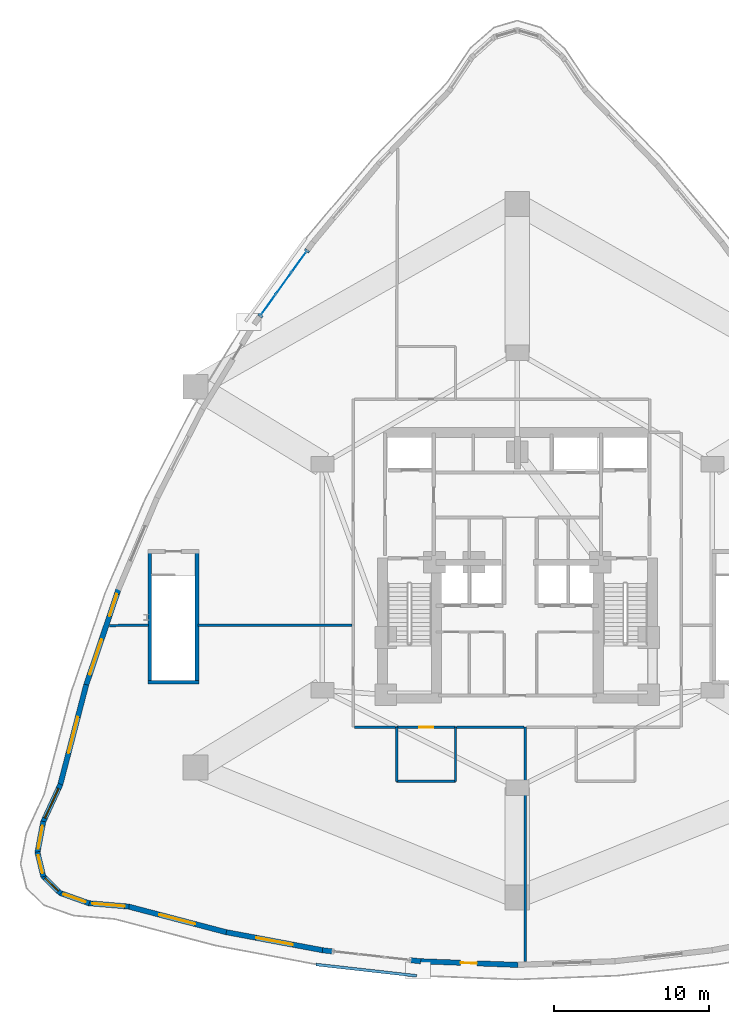
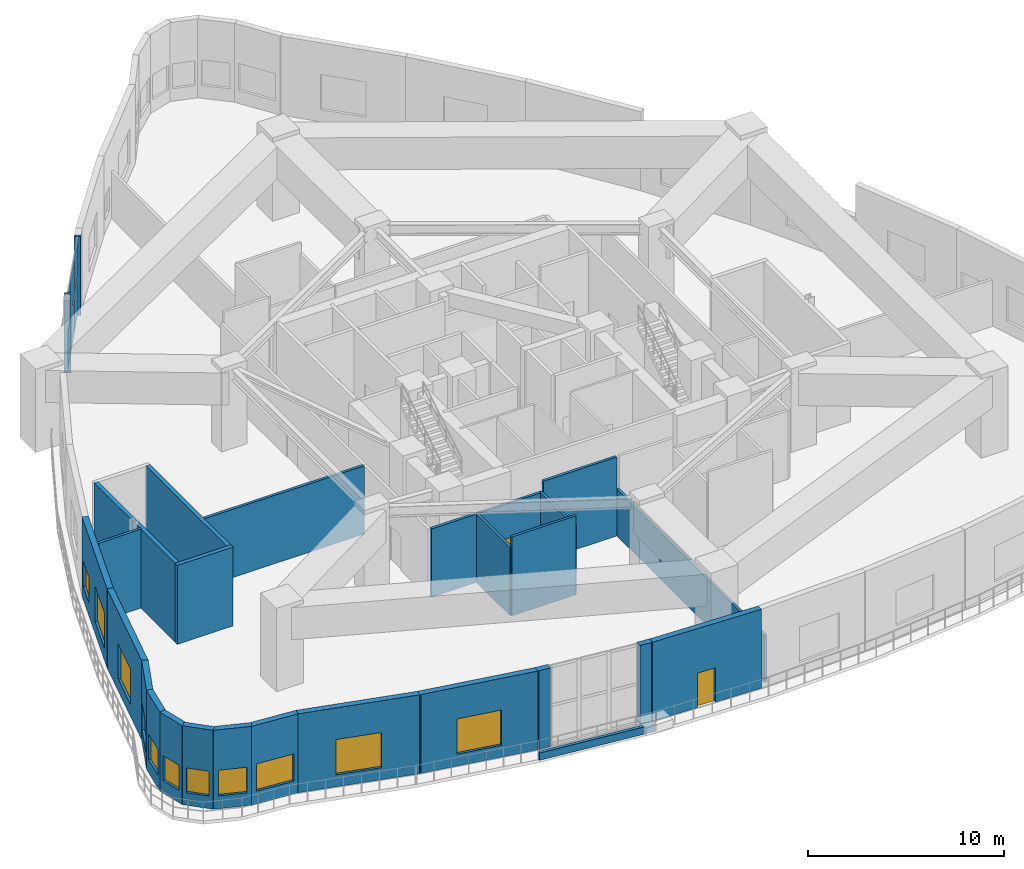
# One storey, part 11 of 19: 26 walls, 11 windows, 8 plates, 2 doors, 13 openings, 1 element without a shape of its own.
"""IFC4 building model written with IfcOpenShell, lengths in metres."""

from ifc_helpers import new_model, si_unit, direction, frame, frame_2d, origin, origin_2d, place, context, subcontext, project, spatial, rectangle, extrude, material, layer, layer_set, type_object, element, fill, aggregate, save


model = new_model("IFC4")

# Units and contexts
model_context = context("Model", 3, precision=1e-05, world=origin(), true_north=direction((0.0, 1.0)))
body_context = subcontext(model_context, "Body", "Model", "MODEL_VIEW")
ifc_project = project(units=[si_unit("LENGTHUNIT", "METRE"), si_unit("AREAUNIT", "SQUARE_METRE"), si_unit("VOLUMEUNIT", "CUBIC_METRE"), si_unit("PLANEANGLEUNIT", "RADIAN"), si_unit("MASSUNIT", "GRAM", prefix="KILO")], contexts=[model_context])

# Site, building, storey
site_placement = place(None, origin())
site = spatial("IfcSite", under=ifc_project, at=site_placement, CompositionType="ELEMENT")
building_placement = place(site_placement, origin())
building = spatial("IfcBuilding", under=site, at=building_placement, Name="Miruveldt Soraemaru", CompositionType="ELEMENT")
storey_placement = place(building_placement, frame((0.0, 0.0, 24.0)))
storey = spatial("IfcBuildingStorey", under=building, at=storey_placement, Name="L06", CompositionType="ELEMENT", Elevation=24.0)

# Curtain wall, plates
ifc_material_1 = material(Name="Anodised aluminium EN AW-6063 T6", Category="aluminium")
ifc_layer_1 = layer(ifc_material_1, 0.219970703125, Name="Anodised aluminium EN AW-6063 T6", Category="aluminium")
ifc_layer_set_1 = layer_set([ifc_layer_1], Name="Anodised aluminium EN AW-6063 T6")
curtain_wall_type = type_object("IfcCurtainWallType", Name="CW-SYS-2", PredefinedType="USERDEFINED", material=ifc_layer_set_1)
curtain_wall_placement = place(storey_placement, origin())
curtain_wall = element("IfcCurtainWall", 1, at=curtain_wall_placement, inside=storey, type_object=curtain_wall_type, Name="L06 Curtain Wall Bay 9", ObjectType="STOREFRONT", PredefinedType="USERDEFINED")
ifc_material_2 = material(Name="Triple low-e insulated glazing", Category="glass")
ifc_layer_2 = layer(ifc_material_2, 0.031982421875, Name="Triple low-e insulated glazing", Category="glass")
ifc_layer_set_2 = layer_set([ifc_layer_2], Name="Triple low-e insulated glazing")
plate_type_1 = type_object("IfcPlateType", Name="CWP-2", PredefinedType="CURTAIN_PANEL", material=ifc_layer_set_2)
plate_1_placement = place(storey_placement, frame((29.89306640625, 63.469482421875, 0.074951171875), z_axis=(0.0, 0.0, 1.0), x_axis=(-0.583401754779, -0.812183718454, 0.0)))
plate_1 = element("IfcPlate", 2, at=plate_1_placement, type_object=plate_type_1, Name="CW-2 panel 1.1", PredefinedType="CURTAIN_PANEL", context=body_context, shape_type="SweptSolid", body=[
    extrude(rectangle(XDim=1.6083984375, YDim=0.031982421875, at=origin_2d()), origin(), (0.0, 0.0, 1.0), 2.35009765625),
])
plate_2_placement = place(storey_placement, frame((29.89306640625, 63.469482421875, 2.5), z_axis=(0.0, 0.0, 1.0), x_axis=(-0.583401754779, -0.812183718454, 0.0)))
plate_2 = element("IfcPlate", 3, at=plate_2_placement, type_object=plate_type_1, Name="CW-2 panel 1.2", PredefinedType="CURTAIN_PANEL", context=body_context, shape_type="SweptSolid", body=[
    extrude(rectangle(XDim=1.6083984375, YDim=0.031982421875, at=origin_2d()), origin(), (0.0, 0.0, 1.0), 2.35009765625),
])
plate_3_placement = place(storey_placement, frame((28.900146484375, 62.0869140625, 0.074951171875), z_axis=(0.0, 0.0, 1.0), x_axis=(-0.583401754779, -0.812183718454, 0.0)))
plate_3 = element("IfcPlate", 4, at=plate_3_placement, type_object=plate_type_1, Name="CW-2 panel 2.1", PredefinedType="CURTAIN_PANEL", context=body_context, shape_type="SweptSolid", body=[
    extrude(rectangle(XDim=1.64599609375, YDim=0.031982421875, at=origin_2d()), origin(), (0.0, 0.0, 1.0), 2.35009765625),
])
plate_4_placement = place(storey_placement, frame((28.900146484375, 62.0869140625, 2.5), z_axis=(0.0, 0.0, 1.0), x_axis=(-0.583401754779, -0.812183718454, 0.0)))
plate_4 = element("IfcPlate", 5, at=plate_4_placement, type_object=plate_type_1, Name="CW-2 panel 2.2", PredefinedType="CURTAIN_PANEL", context=body_context, shape_type="SweptSolid", body=[
    extrude(rectangle(XDim=1.64599609375, YDim=0.031982421875, at=origin_2d()), origin(), (0.0, 0.0, 1.0), 2.35009765625),
])
plate_5_placement = place(storey_placement, frame((27.906982421875, 60.704345703125, 0.074951171875), z_axis=(0.0, 0.0, 1.0), x_axis=(-0.583401754779, -0.812183718454, 0.0)))
plate_5 = element("IfcPlate", 6, at=plate_5_placement, type_object=plate_type_1, Name="CW-2 panel 3.1", PredefinedType="CURTAIN_PANEL", context=body_context, shape_type="SweptSolid", body=[
    extrude(rectangle(XDim=1.6083984375, YDim=0.031982421875, at=origin_2d()), origin(), (0.0, 0.0, 1.0), 2.35009765625),
])
plate_6_placement = place(storey_placement, frame((27.906982421875, 60.704345703125, 2.5), z_axis=(0.0, 0.0, 1.0), x_axis=(-0.583401754779, -0.812183718454, 0.0)))
plate_6 = element("IfcPlate", 7, at=plate_6_placement, type_object=plate_type_1, Name="CW-2 panel 3.2", PredefinedType="CURTAIN_PANEL", context=body_context, shape_type="SweptSolid", body=[
    extrude(rectangle(XDim=1.6083984375, YDim=0.031982421875, at=origin_2d()), origin(), (0.0, 0.0, 1.0), 2.35009765625),
])
aggregate(curtain_wall, [plate_1, plate_2, plate_3, plate_4, plate_5, plate_6])

# Plates
ifc_layer_3 = layer(ifc_material_1, 0.030029296875, Name="Anodised aluminium EN AW-6063 T6", Category="aluminium")
ifc_layer_set_3 = layer_set([ifc_layer_3], Name="Anodised aluminium EN AW-6063 T6")
plate_type_2 = type_object("IfcPlateType", Name="PLT-JAMB-30", PredefinedType="SHEET", material=ifc_layer_set_3)
for number, where, z_axis, x_axis, name in (
    (8, (30.406005859375, 64.18359375, 0.0), (0.0, 0.0, 1.0), (-0.583413642375, -0.812175179312, 0.0), "L06 Curtain Wall Jamb Closure Trim 9JL"),
    (9, (27.39404296875, 59.990234375, 0.0), (0.0, 0.0, 1.0), (-0.583413642375, -0.812175179312, 0.0), "L06 Curtain Wall Jamb Closure Trim 9JR"),
):
    element("IfcPlate", number, at=place(storey_placement, frame(where, z_axis=z_axis, x_axis=x_axis)), inside=storey, type_object=plate_type_2, Name=name, PredefinedType="SHEET", context=body_context, shape_type="SweptSolid", body=[
        extrude(rectangle(XDim=0.139892578125, YDim=0.340087890625, at=origin_2d()), origin(), (0.0, 0.0, 1.0), 4.925048828125),
    ])

# Walls
ifc_material_3 = material(Name="Concrete C50/60 (50 MPa)", Category="concrete")
ifc_layer_4 = layer(ifc_material_3, 0.419921875, Name="Concrete C50/60 (50 MPa)", Category="concrete")
ifc_layer_set_4 = layer_set([ifc_layer_4], Name="Concrete C50/60 (50 MPa)")
wall_type_1 = type_object("IfcWallType", Name="WALL-CW-420", PredefinedType="SHEAR", material=ifc_layer_set_4)
for number, where, z_axis, x_axis, name in (
    (10, (20.25, 36.35009765625, 0.0), (0.0, 0.0, 1.0), (0.0, 1.0, 0.0), "L06 Protected Exit Stair ST-3 Structural Shaft Wall W"),
    (11, (23.300048828125, 36.35009765625, 0.0), (0.0, 0.0, 1.0), (0.0, 1.0, 0.0), "L06 Protected Exit Stair ST-3 Structural Shaft Wall E"),
):
    element("IfcWall", number, at=place(storey_placement, frame(where, z_axis=z_axis, x_axis=x_axis)), inside=storey, type_object=wall_type_1, Name=name, PredefinedType="SHEAR", context=body_context, shape_type="SweptSolid", body=[
        extrude(rectangle(XDim=8.349853515625, YDim=0.239990234375, at=frame_2d((4.1748046875, 0.0))), origin(), (0.0, 0.0, 1.0), 4.925048828125),
    ])
wall_1_placement = place(storey_placement, frame((20.1298828125, 36.300048828125, 0.0), z_axis=(0.0, 0.0, 1.0), x_axis=(1.0, 0.0, 0.0)))
element("IfcWall", 12, at=wall_1_placement, inside=storey, type_object=wall_type_1, Name="L06 Protected Exit Stair ST-3 Structural Shaft Wall S", PredefinedType="SHEAR", context=body_context, shape_type="SweptSolid", body=[
    extrude(rectangle(XDim=3.2900390625, YDim=0.239990234375, at=frame_2d((1.64501953125, 0.0))), origin(), (0.0, 0.0, 1.0), 4.925048828125),
])

# Wall, openings, windows
ifc_material_4 = material(Name="Precast concrete C45/55 (45 MPa)", Category="concrete")
ifc_layer_5 = layer(ifc_material_4, 0.340087890625, Name="Precast concrete C45/55 (45 MPa)", Category="concrete")
ifc_layer_set_5 = layer_set([ifc_layer_5], Name="Precast concrete C45/55 (45 MPa)")
wall_type_2 = type_object("IfcWallType", Name="WALL-EXT-PC340", PredefinedType="SOLIDWALL", material=ifc_layer_set_5)
wall_2_placement = place(storey_placement, frame((18.235595703125, 42.3359375, 0.0), z_axis=(0.0, 0.0, 1.0), x_axis=(-0.31980768303, -0.947482477872, 0.0)))
wall_2 = element("IfcWall", 13, at=wall_2_placement, inside=storey, type_object=wall_type_2, Name="L06 Precast Concrete Facade Wall 13", PredefinedType="SOLIDWALL", context=body_context, shape_type="SweptSolid", body=[
    extrude(rectangle(XDim=6.604248046875, YDim=0.340087890625, at=frame_2d((3.30224609375, 0.0))), origin(), (0.0, 0.0, 1.0), 4.925048828125),
])
opening_1_placement = place(wall_2_placement, frame((0.34912109375, 0.0, 0.800048828125)))
opening_1 = element("IfcOpeningElement", 14, at=opening_1_placement, cuts=wall_2, Name="Opening WN-3", PredefinedType="OPENING", context=body_context, shape_type="SweptSolid", body=[
    extrude(rectangle(XDim=1.5, YDim=1.60009765625, at=frame_2d((0.75, 0.800048828125))), frame((0.0, 0.18017578125, 0.0), z_axis=(0.0, -1.0, 0.0), x_axis=(1.0, 0.0, 0.0)), (0.0, 0.0, 1.0), 0.360107421875),
])
opening_2_placement = place(wall_2_placement, frame((3.44091796875, 0.0, 0.75)))
opening_2 = element("IfcOpeningElement", 15, at=opening_2_placement, cuts=wall_2, Name="Opening WN-5", PredefinedType="OPENING", context=body_context, shape_type="SweptSolid", body=[
    extrude(rectangle(XDim=2.39990234375, YDim=2.199951171875, at=frame_2d((1.199951171875, 1.10009765625))), frame((0.0, 0.18017578125, 0.0), z_axis=(0.0, -1.0, 0.0), x_axis=(1.0, 0.0, 0.0)), (0.0, 0.0, 1.0), 0.360107421875),
])
window_type_1 = type_object("IfcWindowType", Name="WIN-PODM-2400x2200", PartitioningType="SINGLE_PANEL", PredefinedType="WINDOW", material=ifc_material_2)
window_1_placement = place(opening_2_placement, origin())
window_1 = element("IfcWindow", 16, at=window_1_placement, inside=storey, type_object=window_type_1, Name="L06 Punched Triple-Glazed Window 13.2", OverallHeight=2.199951171875, OverallWidth=2.39990234375, PartitioningType="SINGLE_PANEL", PredefinedType="WINDOW", context=body_context, shape_type="SweptSolid", body=[
    extrude(rectangle(XDim=2.39990234375, YDim=2.199951171875, at=frame_2d((1.199951171875, 1.10009765625))), frame((0.0, 0.030029296875, 0.0), z_axis=(0.0, -1.0, 0.0), x_axis=(1.0, 0.0, 0.0)), (0.0, 0.0, 1.0), 0.06005859375),
])
fill(opening_2, window_1)
window_type_2 = type_object("IfcWindowType", Name="WIN-PUNCH-1500x1600", PartitioningType="SINGLE_PANEL", PredefinedType="WINDOW", material=ifc_material_2)
window_2_placement = place(opening_1_placement, origin())
window_2 = element("IfcWindow", 17, at=window_2_placement, inside=storey, type_object=window_type_2, Name="L06 Punched Triple-Glazed Window 13.1", OverallHeight=1.60009765625, OverallWidth=1.5, PartitioningType="SINGLE_PANEL", PredefinedType="WINDOW", context=body_context, shape_type="SweptSolid", body=[
    extrude(rectangle(XDim=1.5, YDim=1.60009765625, at=frame_2d((0.75, 0.800048828125))), frame((0.0, 0.030029296875, 0.0), z_axis=(0.0, -1.0, 0.0), x_axis=(1.0, 0.0, 0.0)), (0.0, 0.0, 1.0), 0.06005859375),
])
fill(opening_1, window_2)

# Wall, opening, window
wall_3_placement = place(storey_placement, frame((16.1435546875, 36.145751953125, 0.0), z_axis=(0.0, 0.0, 1.0), x_axis=(-0.25145458231, -0.967869099122, 0.0)))
wall_3 = element("IfcWall", 18, at=wall_3_placement, inside=storey, type_object=wall_type_2, Name="L06 Precast Concrete Facade Wall 14", PredefinedType="SOLIDWALL", context=body_context, shape_type="SweptSolid", body=[
    extrude(rectangle(XDim=6.7099609375, YDim=0.340087890625, at=frame_2d((3.35498046875, 0.0))), origin(), (0.0, 0.0, 1.0), 4.925048828125),
])
opening_3_placement = place(wall_3_placement, frame((2.155029296875, 0.0, 0.75)))
opening_3 = element("IfcOpeningElement", 19, at=opening_3_placement, cuts=wall_3, Name="Opening WN-5", PredefinedType="OPENING", context=body_context, shape_type="SweptSolid", body=[
    extrude(rectangle(XDim=2.39990234375, YDim=2.199951171875, at=frame_2d((1.199951171875, 1.10009765625))), frame((0.0, 0.18017578125, 0.0), z_axis=(0.0, -1.0, 0.0), x_axis=(1.0, 0.0, 0.0)), (0.0, 0.0, 1.0), 0.360107421875),
])
window_3_placement = place(opening_3_placement, origin())
window_3 = element("IfcWindow", 20, at=window_3_placement, inside=storey, type_object=window_type_1, Name="L06 Punched Triple-Glazed Window 14.1", OverallHeight=2.199951171875, OverallWidth=2.39990234375, PartitioningType="SINGLE_PANEL", PredefinedType="WINDOW", context=body_context, shape_type="SweptSolid", body=[
    extrude(rectangle(XDim=2.39990234375, YDim=2.199951171875, at=frame_2d((1.199951171875, 1.10009765625))), frame((0.0, 0.030029296875, 0.0), z_axis=(0.0, -1.0, 0.0), x_axis=(1.0, 0.0, 0.0)), (0.0, 0.0, 1.0), 0.06005859375),
])
fill(opening_3, window_3)

wall_4_placement = place(storey_placement, frame((14.479736328125, 29.717041015625, 0.0), z_axis=(0.0, 0.0, 1.0), x_axis=(-0.416908445772, -0.908948484703, 0.0)))
wall_4 = element("IfcWall", 21, at=wall_4_placement, inside=storey, type_object=wall_type_2, Name="L06 Precast Concrete Facade Wall 15", PredefinedType="SOLIDWALL", context=body_context, shape_type="SweptSolid", body=[
    extrude(rectangle(XDim=2.716552734375, YDim=0.340087890625, at=frame_2d((1.3583984375, 0.0))), origin(), (0.0, 0.0, 1.0), 4.925048828125),
])
opening_4_placement = place(wall_4_placement, frame((0.30810546875, 0.0, 0.800048828125)))
opening_4 = element("IfcOpeningElement", 22, at=opening_4_placement, cuts=wall_4, Name="Opening WN-1", PredefinedType="OPENING", context=body_context, shape_type="SweptSolid", body=[
    extrude(rectangle(XDim=2.10009765625, YDim=1.699951171875, at=frame_2d((1.050048828125, 0.85009765625))), frame((0.0, 0.18017578125, 0.0), z_axis=(0.0, -1.0, 0.0), x_axis=(1.0, 0.0, 0.0)), (0.0, 0.0, 1.0), 0.360107421875),
])
window_type_3 = type_object("IfcWindowType", Name="WIN-PUNCH-2100x1700", PartitioningType="SINGLE_PANEL", PredefinedType="WINDOW", material=ifc_material_2)
window_4_placement = place(opening_4_placement, origin())
window_4 = element("IfcWindow", 23, at=window_4_placement, inside=storey, type_object=window_type_3, Name="L06 Punched Triple-Glazed Window 15.1", OverallHeight=1.699951171875, OverallWidth=2.10009765625, PartitioningType="SINGLE_PANEL", PredefinedType="WINDOW", context=body_context, shape_type="SweptSolid", body=[
    extrude(rectangle(XDim=2.10009765625, YDim=1.699951171875, at=frame_2d((1.050048828125, 0.85009765625))), frame((0.0, 0.030029296875, 0.0), z_axis=(0.0, -1.0, 0.0), x_axis=(1.0, 0.0, 0.0)), (0.0, 0.0, 1.0), 0.06005859375),
])
fill(opening_4, window_4)

wall_5_placement = place(storey_placement, frame((13.3681640625, 27.31396484375, 0.0), z_axis=(0.0, 0.0, 1.0), x_axis=(-0.183662559707, -0.982989350991, 0.0)))
wall_5 = element("IfcWall", 24, at=wall_5_placement, inside=storey, type_object=wall_type_2, Name="L06 Precast Concrete Facade Wall 16", PredefinedType="SOLIDWALL", context=body_context, shape_type="SweptSolid", body=[
    extrude(rectangle(XDim=2.072265625, YDim=0.340087890625, at=frame_2d((1.0361328125, 0.0))), origin(), (0.0, 0.0, 1.0), 4.925048828125),
])
opening_5_placement = place(wall_5_placement, frame((0.285888671875, 0.0, 0.800048828125)))
opening_5 = element("IfcOpeningElement", 25, at=opening_5_placement, cuts=wall_5, Name="Opening WN-3", PredefinedType="OPENING", context=body_context, shape_type="SweptSolid", body=[
    extrude(rectangle(XDim=1.5, YDim=1.60009765625, at=frame_2d((0.75, 0.800048828125))), frame((0.0, 0.18017578125, 0.0), z_axis=(0.0, -1.0, 0.0), x_axis=(1.0, 0.0, 0.0)), (0.0, 0.0, 1.0), 0.360107421875),
])
window_5_placement = place(opening_5_placement, origin())
window_5 = element("IfcWindow", 26, at=window_5_placement, inside=storey, type_object=window_type_2, Name="L06 Punched Triple-Glazed Window 16.1", OverallHeight=1.60009765625, OverallWidth=1.5, PartitioningType="SINGLE_PANEL", PredefinedType="WINDOW", context=body_context, shape_type="SweptSolid", body=[
    extrude(rectangle(XDim=1.5, YDim=1.60009765625, at=frame_2d((0.75, 0.800048828125))), frame((0.0, 0.030029296875, 0.0), z_axis=(0.0, -1.0, 0.0), x_axis=(1.0, 0.0, 0.0)), (0.0, 0.0, 1.0), 0.06005859375),
])
fill(opening_5, window_5)

wall_6_placement = place(storey_placement, frame((12.98583984375, 25.34521484375, 0.0), z_axis=(0.0, 0.0, 1.0), x_axis=(0.23368739428, -0.972311782174, 0.0)))
wall_6 = element("IfcWall", 27, at=wall_6_placement, inside=storey, type_object=wall_type_2, Name="L06 Precast Concrete Facade Wall 17", PredefinedType="SOLIDWALL", context=body_context, shape_type="SweptSolid", body=[
    extrude(rectangle(XDim=1.644287109375, YDim=0.340087890625, at=frame_2d((0.822265625, 0.0))), origin(), (0.0, 0.0, 1.0), 4.925048828125),
])
opening_6_placement = place(wall_6_placement, frame((0.222900390625, 0.0, 0.780029296875)))
opening_6 = element("IfcOpeningElement", 28, at=opening_6_placement, cuts=wall_6, Name="Opening WN-4", PredefinedType="OPENING", context=body_context, shape_type="SweptSolid", body=[
    extrude(rectangle(XDim=1.199951171875, YDim=1.550048828125, at=frame_2d((0.60009765625, 0.77490234375))), frame((0.0, 0.18017578125, 0.0), z_axis=(0.0, -1.0, 0.0), x_axis=(1.0, 0.0, 0.0)), (0.0, 0.0, 1.0), 0.360107421875),
])
window_type_4 = type_object("IfcWindowType", Name="WIN-PUNCH-1200x1550", PartitioningType="SINGLE_PANEL", PredefinedType="WINDOW", material=ifc_material_2)
window_6_placement = place(opening_6_placement, origin())
window_6 = element("IfcWindow", 29, at=window_6_placement, inside=storey, type_object=window_type_4, Name="L06 Punched Triple-Glazed Window 17.1", OverallHeight=1.550048828125, OverallWidth=1.199951171875, PartitioningType="SINGLE_PANEL", PredefinedType="WINDOW", context=body_context, shape_type="SweptSolid", body=[
    extrude(rectangle(XDim=1.199951171875, YDim=1.550048828125, at=frame_2d((0.60009765625, 0.77490234375))), frame((0.0, 0.030029296875, 0.0), z_axis=(0.0, -1.0, 0.0), x_axis=(1.0, 0.0, 0.0)), (0.0, 0.0, 1.0), 0.06005859375),
])
fill(opening_6, window_6)

wall_7_placement = place(storey_placement, frame((13.3369140625, 23.804931640625, 0.0), z_axis=(0.0, 0.0, 1.0), x_axis=(0.710257766954, -0.703941691109, 0.0)))
wall_7 = element("IfcWall", 30, at=wall_7_placement, inside=storey, type_object=wall_type_2, Name="L06 Precast Concrete Facade Wall 18", PredefinedType="SOLIDWALL", context=body_context, shape_type="SweptSolid", body=[
    extrude(rectangle(XDim=1.62353515625, YDim=0.340087890625, at=frame_2d((0.811767578125, 0.0))), origin(), (0.0, 0.0, 1.0), 4.925048828125),
])
opening_7_placement = place(wall_7_placement, frame((0.2119140625, 0.0, 0.780029296875)))
opening_7 = element("IfcOpeningElement", 31, at=opening_7_placement, cuts=wall_7, Name="Opening WN-4", PredefinedType="OPENING", context=body_context, shape_type="SweptSolid", body=[
    extrude(rectangle(XDim=1.199951171875, YDim=1.550048828125, at=frame_2d((0.60009765625, 0.77490234375))), frame((0.0, 0.18017578125, 0.0), z_axis=(0.0, -1.0, 0.0), x_axis=(1.0, 0.0, 0.0)), (0.0, 0.0, 1.0), 0.360107421875),
])
window_7_placement = place(opening_7_placement, origin())
window_7 = element("IfcWindow", 32, at=window_7_placement, inside=storey, type_object=window_type_4, Name="L06 Punched Triple-Glazed Window 18.1", OverallHeight=1.550048828125, OverallWidth=1.199951171875, PartitioningType="SINGLE_PANEL", PredefinedType="WINDOW", context=body_context, shape_type="SweptSolid", body=[
    extrude(rectangle(XDim=1.199951171875, YDim=1.550048828125, at=frame_2d((0.60009765625, 0.77490234375))), frame((0.0, 0.030029296875, 0.0), z_axis=(0.0, -1.0, 0.0), x_axis=(1.0, 0.0, 0.0)), (0.0, 0.0, 1.0), 0.06005859375),
])
fill(opening_7, window_7)

wall_8_placement = place(storey_placement, frame((14.43212890625, 22.698486328125, 0.0), z_axis=(0.0, 0.0, 1.0), x_axis=(0.941834735002, -0.33607637814, 0.0)))
wall_8 = element("IfcWall", 33, at=wall_8_placement, inside=storey, type_object=wall_type_2, Name="L06 Precast Concrete Facade Wall 19", PredefinedType="SOLIDWALL", context=body_context, shape_type="SweptSolid", body=[
    extrude(rectangle(XDim=2.0224609375, YDim=0.340087890625, at=frame_2d((1.01123046875, 0.0))), origin(), (0.0, 0.0, 1.0), 4.925048828125),
])
opening_8_placement = place(wall_8_placement, frame((0.260986328125, 0.0, 0.800048828125)))
opening_8 = element("IfcOpeningElement", 34, at=opening_8_placement, cuts=wall_8, Name="Opening WN-3", PredefinedType="OPENING", context=body_context, shape_type="SweptSolid", body=[
    extrude(rectangle(XDim=1.5, YDim=1.60009765625, at=frame_2d((0.75, 0.800048828125))), frame((0.0, 0.18017578125, 0.0), z_axis=(0.0, -1.0, 0.0), x_axis=(1.0, 0.0, 0.0)), (0.0, 0.0, 1.0), 0.360107421875),
])
window_8_placement = place(opening_8_placement, origin())
window_8 = element("IfcWindow", 35, at=window_8_placement, inside=storey, type_object=window_type_2, Name="L06 Punched Triple-Glazed Window 19.1", OverallHeight=1.60009765625, OverallWidth=1.5, PartitioningType="SINGLE_PANEL", PredefinedType="WINDOW", context=body_context, shape_type="SweptSolid", body=[
    extrude(rectangle(XDim=1.5, YDim=1.60009765625, at=frame_2d((0.75, 0.800048828125))), frame((0.0, 0.030029296875, 0.0), z_axis=(0.0, -1.0, 0.0), x_axis=(1.0, 0.0, 0.0)), (0.0, 0.0, 1.0), 0.06005859375),
])
fill(opening_8, window_8)

wall_9_placement = place(storey_placement, frame((16.26904296875, 22.03369140625, 0.0), z_axis=(0.0, 0.0, 1.0), x_axis=(0.996411227217, -0.084644351712, 0.0)))
wall_9 = element("IfcWall", 36, at=wall_9_placement, inside=storey, type_object=wall_type_2, Name="L06 Precast Concrete Facade Wall 20", PredefinedType="SOLIDWALL", context=body_context, shape_type="SweptSolid", body=[
    extrude(rectangle(XDim=2.653564453125, YDim=0.340087890625, at=frame_2d((1.32666015625, 0.0))), origin(), (0.0, 0.0, 1.0), 4.925048828125),
])
opening_9_placement = place(wall_9_placement, frame((0.277099609375, 0.0, 0.800048828125)))
opening_9 = element("IfcOpeningElement", 37, at=opening_9_placement, cuts=wall_9, Name="Opening WN-1", PredefinedType="OPENING", context=body_context, shape_type="SweptSolid", body=[
    extrude(rectangle(XDim=2.10009765625, YDim=1.699951171875, at=frame_2d((1.050048828125, 0.85009765625))), frame((0.0, 0.18017578125, 0.0), z_axis=(0.0, -1.0, 0.0), x_axis=(1.0, 0.0, 0.0)), (0.0, 0.0, 1.0), 0.360107421875),
])
window_9_placement = place(opening_9_placement, origin())
window_9 = element("IfcWindow", 38, at=window_9_placement, inside=storey, type_object=window_type_3, Name="L06 Punched Triple-Glazed Window 20.1", OverallHeight=1.699951171875, OverallWidth=2.10009765625, PartitioningType="SINGLE_PANEL", PredefinedType="WINDOW", context=body_context, shape_type="SweptSolid", body=[
    extrude(rectangle(XDim=2.10009765625, YDim=1.699951171875, at=frame_2d((1.050048828125, 0.85009765625))), frame((0.0, 0.030029296875, 0.0), z_axis=(0.0, -1.0, 0.0), x_axis=(1.0, 0.0, 0.0)), (0.0, 0.0, 1.0), 0.06005859375),
])
fill(opening_9, window_9)

wall_10_placement = place(storey_placement, frame((18.844482421875, 21.82080078125, 0.0), z_axis=(0.0, 0.0, 1.0), x_axis=(0.967235761156, -0.253879858084, 0.0)))
wall_10 = element("IfcWall", 39, at=wall_10_placement, inside=storey, type_object=wall_type_2, Name="L06 Precast Concrete Facade Wall 21", PredefinedType="SOLIDWALL", context=body_context, shape_type="SweptSolid", body=[
    extrude(rectangle(XDim=6.563232421875, YDim=0.340087890625, at=frame_2d((3.28173828125, 0.0))), origin(), (0.0, 0.0, 1.0), 4.925048828125),
])
opening_10_placement = place(wall_10_placement, frame((2.08203125, 0.0, 0.75)))
opening_10 = element("IfcOpeningElement", 40, at=opening_10_placement, cuts=wall_10, Name="Opening WN-5", PredefinedType="OPENING", context=body_context, shape_type="SweptSolid", body=[
    extrude(rectangle(XDim=2.39990234375, YDim=2.199951171875, at=frame_2d((1.199951171875, 1.10009765625))), frame((0.0, 0.18017578125, 0.0), z_axis=(0.0, -1.0, 0.0), x_axis=(1.0, 0.0, 0.0)), (0.0, 0.0, 1.0), 0.360107421875),
])
window_10_placement = place(opening_10_placement, origin())
window_10 = element("IfcWindow", 41, at=window_10_placement, inside=storey, type_object=window_type_1, Name="L06 Punched Triple-Glazed Window 21.1", OverallHeight=2.199951171875, OverallWidth=2.39990234375, PartitioningType="SINGLE_PANEL", PredefinedType="WINDOW", context=body_context, shape_type="SweptSolid", body=[
    extrude(rectangle(XDim=2.39990234375, YDim=2.199951171875, at=frame_2d((1.199951171875, 1.10009765625))), frame((0.0, 0.030029296875, 0.0), z_axis=(0.0, -1.0, 0.0), x_axis=(1.0, 0.0, 0.0)), (0.0, 0.0, 1.0), 0.06005859375),
])
fill(opening_10, window_10)

wall_11_placement = place(storey_placement, frame((25.12451171875, 20.169921875, 0.0), z_axis=(0.0, 0.0, 1.0), x_axis=(0.982866196451, -0.184320481431, 0.0)))
wall_11 = element("IfcWall", 42, at=wall_11_placement, inside=storey, type_object=wall_type_2, Name="L06 Precast Concrete Facade Wall 22", PredefinedType="SOLIDWALL", context=body_context, shape_type="SweptSolid", body=[
    extrude(rectangle(XDim=6.459716796875, YDim=0.340087890625, at=frame_2d((3.22998046875, 0.0))), origin(), (0.0, 0.0, 1.0), 4.925048828125),
])
opening_11_placement = place(wall_11_placement, frame((2.030029296875, 0.0, 0.75)))
opening_11 = element("IfcOpeningElement", 43, at=opening_11_placement, cuts=wall_11, Name="Opening WN-5", PredefinedType="OPENING", context=body_context, shape_type="SweptSolid", body=[
    extrude(rectangle(XDim=2.39990234375, YDim=2.199951171875, at=frame_2d((1.199951171875, 1.10009765625))), frame((0.0, 0.18017578125, 0.0), z_axis=(0.0, -1.0, 0.0), x_axis=(1.0, 0.0, 0.0)), (0.0, 0.0, 1.0), 0.360107421875),
])
window_11_placement = place(opening_11_placement, origin())
window_11 = element("IfcWindow", 44, at=window_11_placement, inside=storey, type_object=window_type_1, Name="L06 Punched Triple-Glazed Window 22.1", OverallHeight=2.199951171875, OverallWidth=2.39990234375, PartitioningType="SINGLE_PANEL", PredefinedType="WINDOW", context=body_context, shape_type="SweptSolid", body=[
    extrude(rectangle(XDim=2.39990234375, YDim=2.199951171875, at=frame_2d((1.199951171875, 1.10009765625))), frame((0.0, 0.030029296875, 0.0), z_axis=(0.0, -1.0, 0.0), x_axis=(1.0, 0.0, 0.0)), (0.0, 0.0, 1.0), 0.06005859375),
])
fill(opening_11, window_11)

# Walls
for number, where, z_axis, x_axis, name in (
    (45, (31.404296875, 18.98974609375, 0.0), (0.0, 0.0, 1.0), (0.993726507007, -0.11183751281, 0.0), "L06 Precast Pier Left 23"),
    (46, (37.0537109375, 18.354248046875, 0.0), (0.0, 0.0, 1.0), (0.993726507007, -0.11183751281, 0.0), "L06 Precast Pier Right 23"),
):
    element("IfcWall", number, at=place(storey_placement, frame(where, z_axis=z_axis, x_axis=x_axis)), inside=storey, type_object=wall_type_2, Name=name, PredefinedType="SOLIDWALL", context=body_context, shape_type="SweptSolid", body=[
        extrude(rectangle(XDim=0.705078125, YDim=0.340087890625, at=frame_2d((0.3525390625, 0.0))), origin(), (0.0, 0.0, 1.0), 4.925048828125),
    ])

# Wall, opening, door
wall_12_placement = place(storey_placement, frame((37.6845703125, 18.280517578125, 0.0), z_axis=(0.0, 0.0, 1.0), x_axis=(0.999298209032, -0.037457835293, 0.0)))
wall_12 = element("IfcWall", 47, at=wall_12_placement, inside=storey, type_object=wall_type_2, Name="L06 Precast Concrete Facade Wall 24", PredefinedType="SOLIDWALL", context=body_context, shape_type="SweptSolid", body=[
    extrude(rectangle(XDim=6.354736328125, YDim=0.340087890625, at=frame_2d((3.17724609375, 0.0))), origin(), (0.0, 0.0, 1.0), 4.925048828125),
])
opening_12_placement = place(wall_12_placement, frame((2.653076171875, 0.0, 0.0)))
opening_12 = element("IfcOpeningElement", 48, at=opening_12_placement, cuts=wall_12, Name="Opening TD-1", PredefinedType="OPENING", context=body_context, shape_type="SweptSolid", body=[
    extrude(rectangle(XDim=1.050048828125, YDim=2.14990234375, at=frame_2d((0.52490234375, 1.074951171875))), frame((0.0, 0.18017578125, 0.0), z_axis=(0.0, -1.0, 0.0), x_axis=(1.0, 0.0, 0.0)), (0.0, 0.0, 1.0), 0.360107421875),
])
door_type_1 = type_object("IfcDoorType", Name="DOOR-TER-1050", OperationType="NOTDEFINED", PredefinedType="DOOR", material=ifc_material_1)
door_1_placement = place(opening_12_placement, frame((1.050048828125, 0.0, 0.0), z_axis=(0.0, 0.0, 1.0), x_axis=(-1.0, 0.0, 0.0)))
door_1 = element("IfcDoor", 49, at=door_1_placement, inside=storey, type_object=door_type_1, Name="L06 Terrace Access Glazed Door 24", OperationType="SINGLE_SWING_LEFT", OverallHeight=2.14990234375, OverallWidth=1.050048828125, PredefinedType="DOOR", context=body_context, shape_type="SweptSolid", body=[
    extrude(rectangle(XDim=1.050048828125, YDim=2.14990234375, at=frame_2d((0.52490234375, 1.074951171875))), frame((0.0, 0.02490234375, 0.0), z_axis=(0.0, -1.0, 0.0), x_axis=(1.0, 0.0, 0.0)), (0.0, 0.0, 1.0), 0.050048828125),
])
fill(opening_12, door_1)

ifc_material_5 = material(Name="Gypsum plasterboard lining", Category="gypsum")
ifc_layer_6 = layer(ifc_material_5, 0.14990234375, Name="Gypsum plasterboard lining", Category="gypsum")
ifc_layer_set_6 = layer_set([ifc_layer_6], Name="Gypsum plasterboard lining")
wall_type_3 = type_object("IfcWallType", Name="WALL-INT-PLUMB", PredefinedType="PLUMBINGWALL", material=ifc_layer_set_6)
wall_13_placement = place(storey_placement, frame((36.199951171875, 33.39990234375, 0.0), z_axis=(0.0, 0.0, 1.0), x_axis=(1.0, 0.0, 0.0)))
wall_13 = element("IfcWall", 50, at=wall_13_placement, inside=storey, type_object=wall_type_3, Name="L06 Partition Wall 2", PredefinedType="PLUMBINGWALL", context=body_context, shape_type="SweptSolid", body=[
    extrude(rectangle(XDim=3.800048828125, YDim=0.14990234375, at=frame_2d((1.89990234375, 0.0))), origin(), (0.0, 0.0, 1.0), 4.262939453125),
])
opening_13_placement = place(wall_13_placement, frame((1.449951171875, 0.0, 0.0)))
opening_13 = element("IfcOpeningElement", 51, at=opening_13_placement, cuts=wall_13, Name="Opening D3", PredefinedType="OPENING", context=body_context, shape_type="SweptSolid", body=[
    extrude(rectangle(XDim=0.89990234375, YDim=2.10009765625, at=frame_2d((0.449951171875, 1.050048828125))), frame((0.0, 0.0849609375, 0.0), z_axis=(0.0, -1.0, 0.0), x_axis=(1.0, 0.0, 0.0)), (0.0, 0.0, 1.0), 0.169921875),
])
door_type_2 = type_object("IfcDoorType", Name="DOOR-INT-900", OperationType="NOTDEFINED", PredefinedType="DOOR", material=ifc_material_1)
door_2_placement = place(opening_13_placement, origin())
door_2 = element("IfcDoor", 52, at=door_2_placement, inside=storey, type_object=door_type_2, Name="L06 Public Female Restroom Door", OperationType="SINGLE_SWING_LEFT", OverallHeight=2.10009765625, OverallWidth=0.89990234375, PredefinedType="DOOR", context=body_context, shape_type="SweptSolid", body=[
    extrude(rectangle(XDim=0.89990234375, YDim=2.10009765625, at=frame_2d((0.449951171875, 1.050048828125))), frame((0.0, 0.02490234375, 0.0), z_axis=(0.0, -1.0, 0.0), x_axis=(1.0, 0.0, 0.0)), (0.0, 0.0, 1.0), 0.050048828125),
])
fill(opening_13, door_2)

# Walls
wall_14_placement = place(storey_placement, frame((36.199951171875, 29.89990234375, 0.0), z_axis=(0.0, 0.0, 1.0), x_axis=(1.0, 0.0, 0.0)))
element("IfcWall", 53, at=wall_14_placement, inside=storey, type_object=wall_type_3, Name="L06 Partition Wall 20", PredefinedType="PLUMBINGWALL", context=body_context, shape_type="SweptSolid", body=[
    extrude(rectangle(XDim=3.800048828125, YDim=0.14990234375, at=frame_2d((1.89990234375, 0.0))), origin(), (0.0, 0.0, 1.0), 4.925048828125),
])
for number, where, z_axis, x_axis, name in (
    (54, (36.199951171875, 33.39990234375, 0.0), (0.0, 0.0, 1.0), (0.0, -1.0, 0.0), "L06 Partition Wall 19"),
    (55, (40.0, 29.89990234375, 0.0), (0.0, 0.0, 1.0), (0.0, 1.0, 0.0), "L06 Partition Wall 21"),
):
    element("IfcWall", number, at=place(storey_placement, frame(where, z_axis=z_axis, x_axis=x_axis)), inside=storey, type_object=wall_type_3, Name=name, PredefinedType="PLUMBINGWALL", context=body_context, shape_type="SweptSolid", body=[
        extrude(rectangle(XDim=3.5, YDim=0.14990234375, at=frame_2d((1.75, 0.0))), origin(), (0.0, 0.0, 1.0), 4.262939453125),
    ])
ifc_material_6 = material(Name="Concrete C40/50 (40 MPa)", Category="concrete")
ifc_layer_7 = layer(ifc_material_6, 0.159912109375, Name="Concrete C40/50 (40 MPa)", Category="concrete")
ifc_layer_set_7 = layer_set([ifc_layer_7], Name="Concrete C40/50 (40 MPa)")
wall_type_4 = type_object("IfcWallType", Name="WALL-INT-RC160", PredefinedType="SOLIDWALL", material=ifc_layer_set_7)
wall_15_placement = place(storey_placement, frame((44.49609375, 18.248046875, 0.0), z_axis=(0.0, 0.0, 1.0), x_axis=(0.000257806701, 0.999999966768, 0.0)))
element("IfcWall", 56, at=wall_15_placement, inside=storey, type_object=wall_type_4, Name="L06 Partition Wall 25", PredefinedType="SOLIDWALL", context=body_context, shape_type="SweptSolid", body=[
    extrude(rectangle(XDim=15.15185546875, YDim=0.159912109375, at=frame_2d((7.575927734375, 0.0))), origin(), (0.0, 0.0, 1.0), 2.9130859375),
])
wall_16_placement = place(storey_placement, frame((33.320068359375, 40.0, 0.0), z_axis=(0.0, 0.0, 1.0), x_axis=(-1.0, 0.0, 0.0)))
element("IfcWall", 57, at=wall_16_placement, inside=storey, type_object=wall_type_4, Name="L06 Partition Wall 26", PredefinedType="SOLIDWALL", context=body_context, shape_type="SweptSolid", body=[
    extrude(rectangle(XDim=9.940185546875, YDim=0.159912109375, at=frame_2d((4.97021484375, 0.0))), origin(), (0.0, 0.0, 1.0), 4.262939453125),
])
wall_17_placement = place(storey_placement, frame((40.080078125, 33.39990234375, 0.0), z_axis=(0.0, 0.0, 1.0), x_axis=(1.0, 0.0, 0.0)))
element("IfcWall", 58, at=wall_17_placement, inside=storey, type_object=wall_type_4, Name="L06 Partition Wall 6", PredefinedType="SOLIDWALL", context=body_context, shape_type="SweptSolid", body=[
    extrude(rectangle(XDim=4.33984375, YDim=0.159912109375, at=frame_2d((2.169921875, 0.0))), origin(), (0.0, 0.0, 1.0), 4.925048828125),
])
wall_18_placement = place(storey_placement, frame((33.47998046875, 33.39990234375, 0.0), z_axis=(0.0, 0.0, 1.0), x_axis=(1.0, 0.0, 0.0)))
element("IfcWall", 59, at=wall_18_placement, inside=storey, type_object=wall_type_4, Name="L06 Partition Wall 5", PredefinedType="SOLIDWALL", context=body_context, shape_type="SweptSolid", body=[
    extrude(rectangle(XDim=2.64013671875, YDim=0.159912109375, at=frame_2d((1.320068359375, 0.0))), origin(), (0.0, 0.0, 1.0), 4.262939453125),
])
wall_19_placement = place(storey_placement, frame((20.169921875, 39.9990234375, 0.0), z_axis=(0.0, 0.0, 1.0), x_axis=(-0.999920662638, -0.01259636569, 0.0)))
element("IfcWall", 60, at=wall_19_placement, inside=storey, type_object=wall_type_4, Name="L06 Partition Wall 27", PredefinedType="SOLIDWALL", context=body_context, shape_type="SweptSolid", body=[
    extrude(rectangle(XDim=2.5390625, YDim=0.159912109375, at=frame_2d((1.26953125, 0.0))), origin(), (0.0, 0.0, 1.0), 4.925048828125),
])
ifc_layer_8 = layer(ifc_material_4, 0.179931640625, Name="Precast concrete C45/55 (45 MPa)", Category="concrete")
ifc_layer_set_8 = layer_set([ifc_layer_8], Name="Precast concrete C45/55 (45 MPa)")
wall_type_5 = type_object("IfcWallType", Name="WALL-PAR-180", PredefinedType="PARAPET", material=ifc_layer_set_8)
wall_20_placement = place(storey_placement, frame((30.990478515625, 18.06689453125, 0.0), z_axis=(0.0, 0.0, 1.0), x_axis=(0.993733180568, -0.1117781993, 0.0)))
element("IfcWall", 61, at=wall_20_placement, inside=storey, type_object=wall_type_5, Name="L06 Terrace Upstand Parapet 22", PredefinedType="PARAPET", context=body_context, shape_type="SweptSolid", body=[
    extrude(rectangle(XDim=6.5458984375, YDim=0.179931640625, at=frame_2d((3.27294921875, 0.0))), origin(), (0.0, 0.0, 1.0), 0.449951171875),
])

save(model, "model.ifc")
